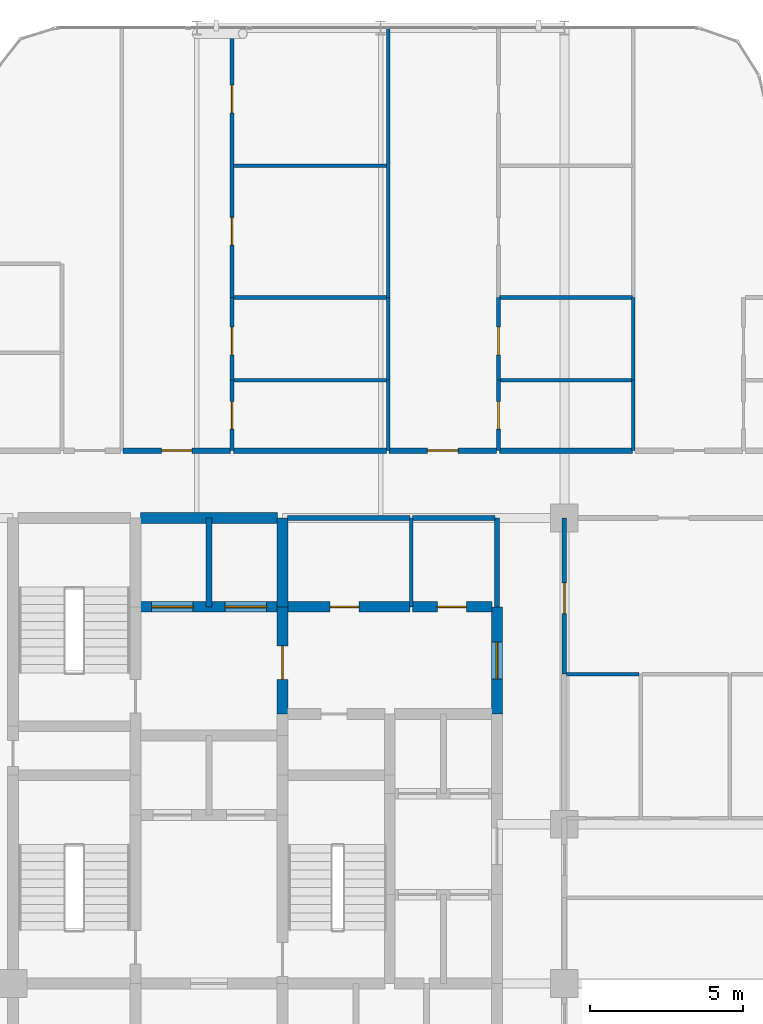
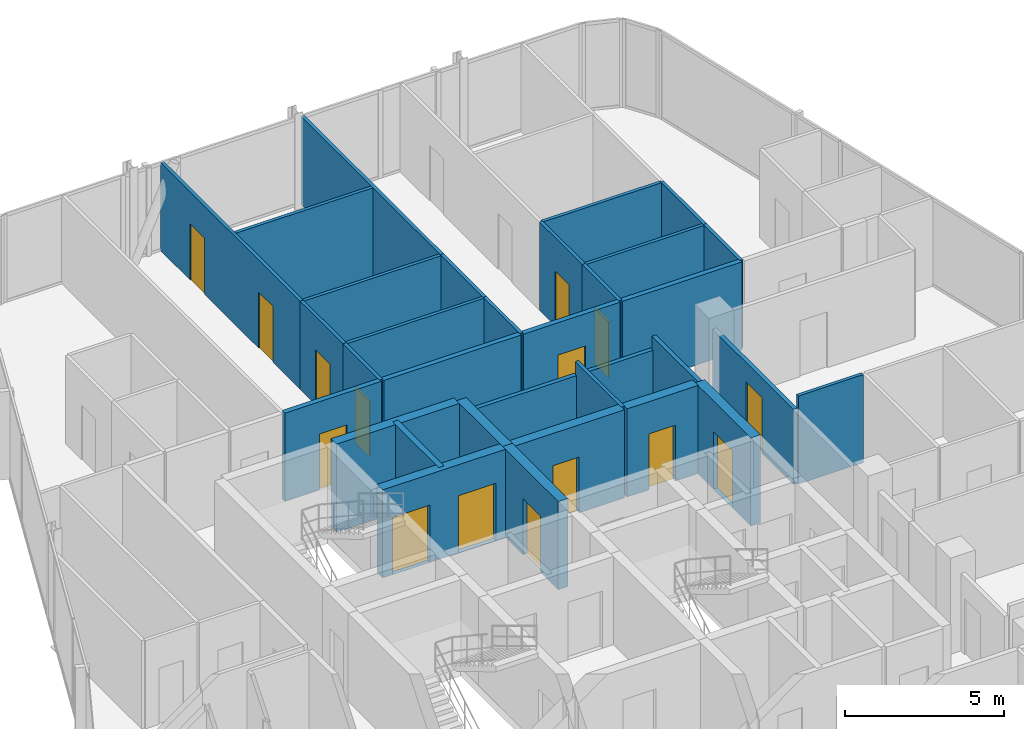
# One storey, part 27 of 29: 33 walls, 15 doors, 15 openings.
"""IFC4 building model written with IfcOpenShell, lengths in metres."""

import ifcopenshell
import ifcopenshell.guid

model = None  # the IFC model being written
_history = None  # IfcOwnerHistory: only IFC2X3 demands one
_inside = {}  # id of a spatial element -> (the spatial element, [elements in it])
_under = {}  # id of a project, library or spatial element -> (it, [spatial elements below it])
_declared = {}  # id of a project -> (the project, [libraries it declares])
_typed = {}  # id of a type object -> (the type object, [elements of that type])
_made_of = {}  # id of a material, layer set ... -> (it, [elements and type objects made of it])


def new_model(schema):
    """Start an empty IFC model of exactly this schema.

    Asked for "IFC4X3", IfcOpenShell would pick the latest addendum, in which some entities
    have other attributes; the version numbers below select the first issue.
    IFC2X3 requires an IfcOwnerHistory on every rooted entity: one is made here for all.
    """
    global model, _history
    if schema == "IFC4X3":
        model = ifcopenshell.file(schema_version=(4, 3, 0, 0))
    else:
        model = ifcopenshell.file(schema=schema)
    _inside.clear()
    _under.clear()
    _declared.clear()
    _typed.clear()
    _made_of.clear()
    _history = None
    if model.schema == "IFC2X3":
        org = make("IfcOrganization", Name="unknown")
        user = make(
            "IfcPersonAndOrganization",
            ThePerson=make("IfcPerson", FamilyName="unknown"),
            TheOrganization=org,
        )
        app = make(
            "IfcApplication",
            ApplicationDeveloper=org,
            Version="unknown",
            ApplicationFullName="unknown",
            ApplicationIdentifier="unknown",
        )
        _history = make(
            "IfcOwnerHistory",
            OwningUser=user,
            OwningApplication=app,
            ChangeAction="ADDED",
            CreationDate=0,
        )
    return model


def make(cls, **values):
    """One entity of the class cls with the attributes given. An attribute that is None is left unset."""
    return model.create_entity(
        cls, **{name: value for name, value in values.items() if value is not None}
    )


def rooted(cls, **values):
    """An entity with a GlobalId (a new one), such as an element, a storey or a relation."""
    return make(cls, GlobalId=ifcopenshell.guid.new(), OwnerHistory=_history, **values)


def si_unit(unit_type, name, prefix=None):
    """IfcSIUnit, for example si_unit("LENGTHUNIT", "METRE", prefix="MILLI")."""
    return make("IfcSIUnit", UnitType=unit_type, Prefix=prefix, Name=name)


def assignment(units):
    """IfcUnitAssignment: the units of a project."""
    return None if units is None else make("IfcUnitAssignment", Units=units)


def point(xyz):
    """IfcCartesianPoint."""
    return None if xyz is None else make("IfcCartesianPoint", Coordinates=xyz)


def direction(xyz):
    """IfcDirection."""
    return None if xyz is None else make("IfcDirection", DirectionRatios=xyz)


def frame(location, z_axis=None, x_axis=None):
    """IfcAxis2Placement3D, a coordinate frame: its origin and axes. An axis left out is left unset."""
    return make(
        "IfcAxis2Placement3D",
        Location=point(location),
        Axis=direction(z_axis),
        RefDirection=direction(x_axis),
    )


def frame_2d(location, x_axis=None):
    """IfcAxis2Placement2D, a coordinate frame in the plane: its origin and x axis."""
    return make(
        "IfcAxis2Placement2D", Location=point(location), RefDirection=direction(x_axis)
    )


def origin():
    """The frame at (0, 0, 0) with its axes left unset."""
    return frame((0.0, 0.0, 0.0))


def place(relative_to, where):
    """IfcLocalPlacement: puts the frame where relative to a parent placement (None: the world)."""
    return make(
        "IfcLocalPlacement", PlacementRelTo=relative_to, RelativePlacement=where
    )


def context(
    kind, dimensions, precision=None, world=None, true_north=None, identifier=None
):
    """IfcGeometricRepresentationContext, for example the 3D "Model" context."""
    return make(
        "IfcGeometricRepresentationContext",
        ContextIdentifier=identifier,
        ContextType=kind,
        CoordinateSpaceDimension=dimensions,
        Precision=precision,
        WorldCoordinateSystem=world,
        TrueNorth=true_north,
    )


def subcontext(parent, identifier, kind, view, scale=None):
    """IfcGeometricRepresentationSubContext, for example "Body" below "Model"."""
    return make(
        "IfcGeometricRepresentationSubContext",
        ContextIdentifier=identifier,
        ContextType=kind,
        ParentContext=parent,
        TargetScale=scale,
        TargetView=view,
    )


def project(units=None, contexts=None):
    """IfcProject with its units and contexts."""
    return rooted(
        "IfcProject",
        Name="project",
        RepresentationContexts=contexts,
        UnitsInContext=assignment(units),
    )


def spatial(cls, under=None, at=None, **own):
    """A site, building, storey or space (cls), placed at a placement, below another one or the project."""
    s = rooted(cls, ObjectPlacement=at, **own)
    if under is not None:
        _under.setdefault(under.id(), (under, []))[1].append(s)
    return s


def profile(cls, at=None, kind="AREA", **sizes):
    """A parametric profile (cls). Its sizes go by their IFC names, for example OverallWidth=200.0."""
    return make(cls, ProfileType=kind, Position=at, **sizes)


def rectangle(**sizes):
    """IfcRectangleProfileDef."""
    return profile("IfcRectangleProfileDef", **sizes)


def extrude(swept, where, along, depth):
    """IfcExtrudedAreaSolid: the profile swept, set in the frame where, extruded along a direction by depth."""
    return make(
        "IfcExtrudedAreaSolid",
        SweptArea=swept,
        Position=where,
        ExtrudedDirection=direction(along),
        Depth=depth,
    )


def shape(context_of_items, identifier, shape_type, items):
    """IfcShapeRepresentation: the items that make up one representation, for example the "Body"."""
    return make(
        "IfcShapeRepresentation",
        ContextOfItems=context_of_items,
        RepresentationIdentifier=identifier,
        RepresentationType=shape_type,
        Items=items,
    )


def material(Name=None, Category=None):
    """IfcMaterial."""
    return make("IfcMaterial", Name=Name, Category=Category)


def layer(
    of_material, thickness, ventilated=None, Name=None, Category=None, Priority=None
):
    """IfcMaterialLayer: one layer of a wall or slab, of a material (None: an air gap)."""
    return make(
        "IfcMaterialLayer",
        Material=of_material,
        LayerThickness=thickness,
        IsVentilated=ventilated,
        Name=Name,
        Category=Category,
        Priority=Priority,
    )


def layer_set(layers, Name=None):
    """IfcMaterialLayerSet."""
    return make("IfcMaterialLayerSet", MaterialLayers=layers, LayerSetName=Name)


def made_of(thing, what):
    """Note that an element or type object is made of a material, layer set ...; save() writes the relation."""
    if what is not None:
        _made_of.setdefault(what.id(), (what, []))[1].append(thing)
    return thing


def type_object(cls, material=None, **own):
    """A type object (cls), such as IfcWallType, which elements share."""
    return made_of(rooted(cls, **own), material)


def element(
    cls,
    number,
    at=None,
    inside=None,
    cuts=None,
    type_object=None,
    material=None,
    context=None,
    identifier="Body",
    shape_type=None,
    held_by="IfcProductDefinitionShape",
    body=None,
    shapes=None,
    **own,
):
    """One element of the class cls, such as IfcWall. Its Tag is "e" and its number.

    at: its placement. inside: the storey or other place that contains it. cuts: it is an
    opening in that element (IfcRelVoidsElement). A single representation is given by context,
    identifier, shape_type and body (its items); several are given by shapes. held_by: the class
    of the entity that holds the representations. save() writes the other relations.
    """
    e = rooted(cls, Tag="e%d" % number, ObjectPlacement=at, **own)
    if body is not None:
        shapes = [shape(context, identifier, shape_type, body)]
    if shapes is not None:
        e.Representation = make(held_by, Representations=shapes)
    if inside is not None:
        _inside.setdefault(inside.id(), (inside, []))[1].append(e)
    if cuts is not None:
        rooted(
            "IfcRelVoidsElement", RelatingBuildingElement=cuts, RelatedOpeningElement=e
        )
    if type_object is not None:
        _typed.setdefault(type_object.id(), (type_object, []))[1].append(e)
    return made_of(e, material)


def fill(opening, filler):
    """IfcRelFillsElement: the door or window that sits in an opening."""
    return rooted(
        "IfcRelFillsElement",
        RelatingOpeningElement=opening,
        RelatedBuildingElement=filler,
    )


def aggregate(whole, parts):
    """IfcRelAggregates: a whole, such as a stair, and the parts it consists of."""
    return rooted("IfcRelAggregates", RelatingObject=whole, RelatedObjects=parts)


def save(model, path):
    """Write the relations noted so far, then the file.

    IfcRelAggregates (storeys below a building ...), IfcRelContainedInSpatialStructure (elements
    in a storey), IfcRelDefinesByType, IfcRelAssociatesMaterial and IfcRelDeclares: one each for
    every whole, place, type object, material and project.
    """
    for whole, parts in _under.values():
        aggregate(whole, parts)
    for where, things in _inside.values():
        rooted(
            "IfcRelContainedInSpatialStructure",
            RelatedElements=things,
            RelatingStructure=where,
        )
    for kind, things in _typed.values():
        rooted("IfcRelDefinesByType", RelatedObjects=things, RelatingType=kind)
    for what, things in _made_of.values():
        rooted("IfcRelAssociatesMaterial", RelatedObjects=things, RelatingMaterial=what)
    for by, libraries in _declared.values():
        rooted("IfcRelDeclares", RelatingContext=by, RelatedDefinitions=libraries)
    model.write(path)


model = new_model("IFC4")

# Units and contexts
model_context = context("Model", 3, precision=1e-05, world=origin(), true_north=direction((0.0, 1.0)))
body_context = subcontext(model_context, "Body", "Model", "MODEL_VIEW")
ifc_project = project(units=[si_unit("LENGTHUNIT", "METRE"), si_unit("AREAUNIT", "SQUARE_METRE"), si_unit("VOLUMEUNIT", "CUBIC_METRE"), si_unit("PLANEANGLEUNIT", "RADIAN"), si_unit("MASSUNIT", "GRAM", prefix="KILO")], contexts=[model_context])

# Site, building, storey
site_placement = place(None, origin())
site = spatial("IfcSite", under=ifc_project, at=site_placement, CompositionType="ELEMENT")
building_placement = place(site_placement, origin())
building = spatial("IfcBuilding", under=site, at=building_placement, Name="Keshet Zoharim Tower", CompositionType="ELEMENT")
storey_placement = place(building_placement, frame((0.0, 0.0, 172.800048828125)))
storey = spatial("IfcBuildingStorey", under=building, at=storey_placement, Name="L42", CompositionType="ELEMENT", Elevation=172.800048828125)

# Wall
ifc_material_1 = material(Name="Gypsum Plasterboard", Category="gypsum")
ifc_layer_1 = layer(ifc_material_1, 0.14990234375)
ifc_layer_set_1 = layer_set([ifc_layer_1], Name="Gypsum Plasterboard")
wall_type_1 = type_object("IfcWallType", Name="WL-CLIN-150", PredefinedType="STANDARD", material=ifc_layer_set_1)
wall_1_placement = place(storey_placement, frame((30.800048828125, 35.0, 0.0), z_axis=(0.0, 0.0, 1.0), x_axis=(0.0, 1.0, 0.0)))
element("IfcWall", 1, at=wall_1_placement, inside=storey, type_object=wall_type_1, Name="L42 Interior Wall 066", PredefinedType="STANDARD", context=body_context, shape_type="SweptSolid", body=[
    extrude(rectangle(XDim=2.89990234375, YDim=0.14990234375, at=frame_2d((1.449951171875, 0.0))), origin(), (0.0, 0.0, 1.0), 3.389892578125),
])

# Wall, opening, door
wall_2_placement = place(storey_placement, frame((33.0, 32.800048828125, 0.0), z_axis=(0.0, 0.0, 1.0), x_axis=(0.0, 1.0, 0.0)))
wall_2 = element("IfcWall", 2, at=wall_2_placement, inside=storey, type_object=wall_type_1, Name="L42 Interior Wall 078", PredefinedType="STANDARD", context=body_context, shape_type="SweptSolid", body=[
    extrude(rectangle(XDim=5.099853515625, YDim=0.14990234375, at=frame_2d((2.5498046875, 0.0))), origin(), (0.0, 0.0, 1.0), 2.889892578125),
])
opening_1_placement = place(wall_2_placement, frame((1.97802734375, 0.0, 0.0)))
opening_1 = element("IfcOpeningElement", 3, at=opening_1_placement, cuts=wall_2, Name="Opening D-F310", PredefinedType="OPENING", context=body_context, shape_type="SweptSolid", body=[
    extrude(rectangle(XDim=1.0, YDim=2.14990234375, at=frame_2d((0.5, 1.074951171875))), frame((0.0, 0.0849609375, 0.0), z_axis=(0.0, -1.0, 0.0), x_axis=(1.0, 0.0, 0.0)), (0.0, 0.0, 1.0), 0.169921875),
])
ifc_material_2 = material(Name="Hardwood Timber", Category="wood")
door_type_1 = type_object("IfcDoorType", Name="DR-FD30-100", OperationType="NOTDEFINED", PredefinedType="DOOR", material=ifc_material_2)
door_1_placement = place(opening_1_placement, origin())
door_1 = element("IfcDoor", 4, at=door_1_placement, inside=storey, type_object=door_type_1, Name="L42 North West Residents Services Suite Door 2", OperationType="SINGLE_SWING_RIGHT", OverallHeight=2.14990234375, OverallWidth=1.0, PredefinedType="DOOR", context=body_context, shape_type="SweptSolid", body=[
    extrude(rectangle(XDim=1.0, YDim=2.14990234375, at=frame_2d((0.5, 1.074951171875))), frame((0.0, 0.02490234375, 0.0), z_axis=(0.0, -1.0, 0.0), x_axis=(1.0, 0.0, 0.0)), (0.0, 0.0, 1.0), 0.050048828125),
])
fill(opening_1, door_1)

# Walls
wall_3_placement = place(storey_placement, frame((23.9599609375, 37.89990234375, 0.0), z_axis=(0.0, 0.0, 1.0), x_axis=(1.0, 0.0, 0.0)))
element("IfcWall", 5, at=wall_3_placement, inside=storey, type_object=wall_type_1, Name="L42 Interior Wall 180", PredefinedType="STANDARD", context=body_context, shape_type="SweptSolid", body=[
    extrude(rectangle(XDim=3.9951171875, YDim=0.14990234375, at=frame_2d((1.99755859375, 0.0))), origin(), (0.0, 0.0, 1.0), 2.889892578125),
])
wall_4_placement = place(storey_placement, frame((28.044921875, 37.89990234375, 0.0), z_axis=(0.0, 0.0, 1.0), x_axis=(1.0, 0.0, 0.0)))
element("IfcWall", 6, at=wall_4_placement, inside=storey, type_object=wall_type_1, Name="L42 Interior Wall 181", PredefinedType="STANDARD", context=body_context, shape_type="SweptSolid", body=[
    extrude(rectangle(XDim=2.695068359375, YDim=0.14990234375, at=frame_2d((1.34765625, 0.0))), origin(), (0.0, 0.0, 1.0), 2.889892578125),
])

# Wall, opening, door
ifc_material_3 = material(Name="Concrete C60/75", Category="concrete")
ifc_layer_2 = layer(ifc_material_3, 0.35009765625)
ifc_layer_set_2 = layer_set([ifc_layer_2], Name="Concrete C60/75")
wall_type_2 = type_object("IfcWallType", Name="WL-CORE-350", PredefinedType="SHEAR", material=ifc_layer_set_2)
wall_5_placement = place(storey_placement, frame((23.800048828125, 31.5, 0.0), z_axis=(0.0, 0.0, 1.0), x_axis=(0.0, 1.0, 0.0)))
wall_5 = element("IfcWall", 7, at=wall_5_placement, inside=storey, type_object=wall_type_2, Name="L42 Core Shear Wall 042", PredefinedType="SHEAR", context=body_context, shape_type="SweptSolid", body=[
    extrude(rectangle(XDim=3.5, YDim=0.35009765625, at=frame_2d((1.75, 0.0))), origin(), (0.0, 0.0, 1.0), 3.389892578125),
])
opening_2_placement = place(wall_5_placement, frame((1.126953125, 0.0, 0.0)))
opening_2 = element("IfcOpeningElement", 8, at=opening_2_placement, cuts=wall_5, Name="Opening D-F611", PredefinedType="OPENING", context=body_context, shape_type="SweptSolid", body=[
    extrude(rectangle(XDim=1.10009765625, YDim=2.14990234375, at=frame_2d((0.550048828125, 1.074951171875))), frame((0.0, 0.18505859375, 0.0), z_axis=(0.0, -1.0, 0.0), x_axis=(1.0, 0.0, 0.0)), (0.0, 0.0, 1.0), 0.3701171875),
])
door_type_2 = type_object("IfcDoorType", Name="DR-FD60-110", OperationType="NOTDEFINED", PredefinedType="DOOR", material=ifc_material_2)
door_2_placement = place(opening_2_placement, origin())
door_2 = element("IfcDoor", 9, at=door_2_placement, inside=storey, type_object=door_type_2, Name="L42 Firefighting Lobby Fire Door", OperationType="SINGLE_SWING_LEFT", OverallHeight=2.14990234375, OverallWidth=1.10009765625, PredefinedType="DOOR", context=body_context, shape_type="SweptSolid", body=[
    extrude(rectangle(XDim=1.10009765625, YDim=2.14990234375, at=frame_2d((0.550048828125, 1.074951171875))), frame((0.0, 0.02490234375, 0.0), z_axis=(0.0, -1.0, 0.0), x_axis=(1.0, 0.0, 0.0)), (0.0, 0.0, 1.0), 0.050048828125),
])
fill(opening_2, door_2)

# Wall
wall_6_placement = place(storey_placement, frame((23.800048828125, 35.0, 0.0), z_axis=(0.0, 0.0, 1.0), x_axis=(0.0, 1.0, 0.0)))
element("IfcWall", 10, at=wall_6_placement, inside=storey, type_object=wall_type_2, Name="L42 Core Shear Wall 043", PredefinedType="SHEAR", context=body_context, shape_type="SweptSolid", body=[
    extrude(rectangle(XDim=2.89990234375, YDim=0.35009765625, at=frame_2d((1.449951171875, 0.0))), origin(), (0.0, 0.0, 1.0), 3.389892578125),
])

# Wall, opening, door
wall_7_placement = place(storey_placement, frame((30.800048828125, 31.5, 0.0), z_axis=(0.0, 0.0, 1.0), x_axis=(0.0, 1.0, 0.0)))
wall_7 = element("IfcWall", 11, at=wall_7_placement, inside=storey, type_object=wall_type_2, Name="L42 Core Shear Wall 065", PredefinedType="SHEAR", context=body_context, shape_type="SweptSolid", body=[
    extrude(rectangle(XDim=3.5, YDim=0.35009765625, at=frame_2d((1.75, 0.0))), origin(), (0.0, 0.0, 1.0), 3.389892578125),
])
opening_3_placement = place(wall_7_placement, frame((1.14990234375, 0.0, 0.0)))
opening_3 = element("IfcOpeningElement", 12, at=opening_3_placement, cuts=wall_7, Name="Opening D-F612", PredefinedType="OPENING", context=body_context, shape_type="SweptSolid", body=[
    extrude(rectangle(XDim=1.199951171875, YDim=2.199951171875, at=frame_2d((0.60009765625, 1.10009765625))), frame((0.0, 0.18505859375, 0.0), z_axis=(0.0, -1.0, 0.0), x_axis=(1.0, 0.0, 0.0)), (0.0, 0.0, 1.0), 0.3701171875),
])
door_type_3 = type_object("IfcDoorType", Name="DR-FD60-120", OperationType="NOTDEFINED", PredefinedType="DOOR", material=ifc_material_2)
door_3_placement = place(opening_3_placement, origin())
door_3 = element("IfcDoor", 13, at=door_3_placement, inside=storey, type_object=door_type_3, Name="L42 North Lift Lobby East Fire Door", OperationType="SINGLE_SWING_LEFT", OverallHeight=2.199951171875, OverallWidth=1.199951171875, PredefinedType="DOOR", context=body_context, shape_type="SweptSolid", body=[
    extrude(rectangle(XDim=1.199951171875, YDim=2.199951171875, at=frame_2d((0.60009765625, 1.10009765625))), frame((0.0, 0.02490234375, 0.0), z_axis=(0.0, -1.0, 0.0), x_axis=(1.0, 0.0, 0.0)), (0.0, 0.0, 1.0), 0.050048828125),
])
fill(opening_3, door_3)

# Wall, openings, doors
wall_8_placement = place(storey_placement, frame((19.159912109375, 35.0, 0.0), z_axis=(0.0, 0.0, 1.0), x_axis=(1.0, 0.0, 0.0)))
wall_8 = element("IfcWall", 14, at=wall_8_placement, inside=storey, type_object=wall_type_2, Name="L42 Core Shear Wall 175", PredefinedType="SHEAR", context=body_context, shape_type="SweptSolid", body=[
    extrude(rectangle(XDim=4.47998046875, YDim=0.35009765625, at=frame_2d((2.239990234375, 0.0))), origin(), (0.0, 0.0, 1.0), 3.389892578125),
])
opening_4_placement = place(wall_8_placement, frame((0.364990234375, 0.0, 0.0)))
opening_4 = element("IfcOpeningElement", 15, at=opening_4_placement, cuts=wall_8, Name="Opening LD-02", PredefinedType="OPENING", context=body_context, shape_type="SweptSolid", body=[
    extrude(rectangle(XDim=1.35009765625, YDim=2.199951171875, at=frame_2d((0.675048828125, 1.10009765625))), frame((0.0, 0.18505859375, 0.0), z_axis=(0.0, -1.0, 0.0), x_axis=(1.0, 0.0, 0.0)), (0.0, 0.0, 1.0), 0.3701171875),
])
opening_5_placement = place(wall_8_placement, frame((2.764892578125, 0.0, 0.0)))
opening_5 = element("IfcOpeningElement", 16, at=opening_5_placement, cuts=wall_8, Name="Opening LD-02", PredefinedType="OPENING", context=body_context, shape_type="SweptSolid", body=[
    extrude(rectangle(XDim=1.35009765625, YDim=2.199951171875, at=frame_2d((0.675048828125, 1.10009765625))), frame((0.0, 0.18505859375, 0.0), z_axis=(0.0, -1.0, 0.0), x_axis=(1.0, 0.0, 0.0)), (0.0, 0.0, 1.0), 0.3701171875),
])
ifc_material_4 = material(Name="Steel S355", Category="steel")
door_type_4 = type_object("IfcDoorType", Name="DR-LD02-135", OperationType="DOUBLE_DOOR_SLIDING", PredefinedType="DOOR", material=ifc_material_4)
door_4_placement = place(opening_4_placement, origin())
door_4 = element("IfcDoor", 17, at=door_4_placement, inside=storey, type_object=door_type_4, Name="L42 Firefighting Lift Landing Door FF-01", OperationType="DOUBLE_DOOR_SLIDING", OverallHeight=2.199951171875, OverallWidth=1.35009765625, PredefinedType="DOOR", context=body_context, shape_type="SweptSolid", body=[
    extrude(rectangle(XDim=1.35009765625, YDim=2.199951171875, at=frame_2d((0.675048828125, 1.10009765625))), frame((0.0, 0.02490234375, 0.0), z_axis=(0.0, -1.0, 0.0), x_axis=(1.0, 0.0, 0.0)), (0.0, 0.0, 1.0), 0.050048828125),
])
fill(opening_4, door_4)
door_5_placement = place(opening_5_placement, origin())
door_5 = element("IfcDoor", 18, at=door_5_placement, inside=storey, type_object=door_type_4, Name="L42 Firefighting Lift Landing Door FF-02", OperationType="DOUBLE_DOOR_SLIDING", OverallHeight=2.199951171875, OverallWidth=1.35009765625, PredefinedType="DOOR", context=body_context, shape_type="SweptSolid", body=[
    extrude(rectangle(XDim=1.35009765625, YDim=2.199951171875, at=frame_2d((0.675048828125, 1.10009765625))), frame((0.0, 0.02490234375, 0.0), z_axis=(0.0, -1.0, 0.0), x_axis=(1.0, 0.0, 0.0)), (0.0, 0.0, 1.0), 0.050048828125),
])
fill(opening_5, door_5)

# Wall, opening, door
wall_9_placement = place(storey_placement, frame((23.9599609375, 35.0, 0.0), z_axis=(0.0, 0.0, 1.0), x_axis=(1.0, 0.0, 0.0)))
wall_9 = element("IfcWall", 19, at=wall_9_placement, inside=storey, type_object=wall_type_2, Name="L42 Core Shear Wall 176", PredefinedType="SHEAR", context=body_context, shape_type="SweptSolid", body=[
    extrude(rectangle(XDim=3.9951171875, YDim=0.35009765625, at=frame_2d((1.99755859375, 0.0))), origin(), (0.0, 0.0, 1.0), 3.389892578125),
])
opening_6_placement = place(wall_9_placement, frame((1.39306640625, 0.0, 0.0)))
opening_6 = element("IfcOpeningElement", 20, at=opening_6_placement, cuts=wall_9, Name="Opening D-F695", PredefinedType="OPENING", context=body_context, shape_type="SweptSolid", body=[
    extrude(rectangle(XDim=0.949951171875, YDim=2.14990234375, at=frame_2d((0.47509765625, 1.074951171875))), frame((0.0, 0.18505859375, 0.0), z_axis=(0.0, -1.0, 0.0), x_axis=(1.0, 0.0, 0.0)), (0.0, 0.0, 1.0), 0.3701171875),
])
door_type_5 = type_object("IfcDoorType", Name="DR-FD60-095", OperationType="NOTDEFINED", PredefinedType="DOOR", material=ifc_material_2)
door_6_placement = place(opening_6_placement, frame((0.949951171875, 0.0, 0.0), z_axis=(0.0, 0.0, 1.0), x_axis=(-1.0, 0.0, 0.0)))
door_6 = element("IfcDoor", 21, at=door_6_placement, inside=storey, type_object=door_type_5, Name="L42 Laundry Room Door", OperationType="SINGLE_SWING_RIGHT", OverallHeight=2.14990234375, OverallWidth=0.949951171875, PredefinedType="DOOR", context=body_context, shape_type="SweptSolid", body=[
    extrude(rectangle(XDim=0.949951171875, YDim=2.14990234375, at=frame_2d((0.47509765625, 1.074951171875))), frame((0.0, 0.02490234375, 0.0), z_axis=(0.0, -1.0, 0.0), x_axis=(1.0, 0.0, 0.0)), (0.0, 0.0, 1.0), 0.050048828125),
])
fill(opening_6, door_6)

wall_10_placement = place(storey_placement, frame((28.044921875, 35.0, 0.0), z_axis=(0.0, 0.0, 1.0), x_axis=(1.0, 0.0, 0.0)))
wall_10 = element("IfcWall", 22, at=wall_10_placement, inside=storey, type_object=wall_type_2, Name="L42 Core Shear Wall 177", PredefinedType="SHEAR", context=body_context, shape_type="SweptSolid", body=[
    extrude(rectangle(XDim=2.594970703125, YDim=0.35009765625, at=frame_2d((1.29736328125, 0.0))), origin(), (0.0, 0.0, 1.0), 3.389892578125),
])
opening_7_placement = place(wall_10_placement, frame((0.805908203125, 0.0, 0.0)))
opening_7 = element("IfcOpeningElement", 23, at=opening_7_placement, cuts=wall_10, Name="Opening D-F695", PredefinedType="OPENING", context=body_context, shape_type="SweptSolid", body=[
    extrude(rectangle(XDim=0.949951171875, YDim=2.14990234375, at=frame_2d((0.47509765625, 1.074951171875))), frame((0.0, 0.18505859375, 0.0), z_axis=(0.0, -1.0, 0.0), x_axis=(1.0, 0.0, 0.0)), (0.0, 0.0, 1.0), 0.3701171875),
])
door_7_placement = place(opening_7_placement, frame((0.949951171875, 0.0, 0.0), z_axis=(0.0, 0.0, 1.0), x_axis=(-1.0, 0.0, 0.0)))
door_7 = element("IfcDoor", 24, at=door_7_placement, inside=storey, type_object=door_type_5, Name="L42 Quiet Study Room Door", OperationType="SINGLE_SWING_LEFT", OverallHeight=2.14990234375, OverallWidth=0.949951171875, PredefinedType="DOOR", context=body_context, shape_type="SweptSolid", body=[
    extrude(rectangle(XDim=0.949951171875, YDim=2.14990234375, at=frame_2d((0.47509765625, 1.074951171875))), frame((0.0, 0.02490234375, 0.0), z_axis=(0.0, -1.0, 0.0), x_axis=(1.0, 0.0, 0.0)), (0.0, 0.0, 1.0), 0.050048828125),
])
fill(opening_7, door_7)

# Wall
wall_11_placement = place(storey_placement, frame((19.159912109375, 37.89990234375, 0.0), z_axis=(0.0, 0.0, 1.0), x_axis=(1.0, 0.0, 0.0)))
element("IfcWall", 25, at=wall_11_placement, inside=storey, type_object=wall_type_2, Name="L42 Core Shear Wall 179", PredefinedType="SHEAR", context=body_context, shape_type="SweptSolid", body=[
    extrude(rectangle(XDim=4.47998046875, YDim=0.35009765625, at=frame_2d((2.239990234375, 0.0))), origin(), (0.0, 0.0, 1.0), 3.389892578125),
])

# Wall, opening, door
ifc_layer_3 = layer(ifc_material_1, 0.179931640625)
ifc_layer_set_3 = layer_set([ifc_layer_3], Name="Gypsum Plasterboard")
wall_type_3 = type_object("IfcWallType", Name="WL-CORR-180", PredefinedType="STANDARD", material=ifc_layer_set_3)
wall_12_placement = place(storey_placement, frame((18.594970703125, 40.10009765625, 0.0), z_axis=(0.0, 0.0, 1.0), x_axis=(1.0, 0.0, 0.0)))
wall_12 = element("IfcWall", 26, at=wall_12_placement, inside=storey, type_object=wall_type_3, Name="L42 Interior Wall 188", PredefinedType="STANDARD", context=body_context, shape_type="SweptSolid", body=[
    extrude(rectangle(XDim=3.510009765625, YDim=0.179931640625, at=frame_2d((1.7548828125, 0.0))), origin(), (0.0, 0.0, 1.0), 3.389892578125),
])
opening_8_placement = place(wall_12_placement, frame((1.2548828125, 0.0, 0.0)))
opening_8 = element("IfcOpeningElement", 27, at=opening_8_placement, cuts=wall_12, Name="Opening D-F310", PredefinedType="OPENING", context=body_context, shape_type="SweptSolid", body=[
    extrude(rectangle(XDim=1.0, YDim=2.14990234375, at=frame_2d((0.5, 1.074951171875))), frame((0.0, 0.10009765625, 0.0), z_axis=(0.0, -1.0, 0.0), x_axis=(1.0, 0.0, 0.0)), (0.0, 0.0, 1.0), 0.199951171875),
])
door_8_placement = place(opening_8_placement, origin())
door_8 = element("IfcDoor", 28, at=door_8_placement, inside=storey, type_object=door_type_1, Name="Apartment 4206 Entrance Door", OperationType="SINGLE_SWING_RIGHT", OverallHeight=2.14990234375, OverallWidth=1.0, PredefinedType="DOOR", context=body_context, shape_type="SweptSolid", body=[
    extrude(rectangle(XDim=1.0, YDim=2.14990234375, at=frame_2d((0.5, 1.074951171875))), frame((0.0, 0.02490234375, 0.0), z_axis=(0.0, -1.0, 0.0), x_axis=(1.0, 0.0, 0.0)), (0.0, 0.0, 1.0), 0.050048828125),
])
fill(opening_8, door_8)

# Wall
wall_13_placement = place(storey_placement, frame((22.195068359375, 40.10009765625, 0.0), z_axis=(0.0, 0.0, 1.0), x_axis=(1.0, 0.0, 0.0)))
element("IfcWall", 29, at=wall_13_placement, inside=storey, type_object=wall_type_3, Name="L42 Interior Wall 189", PredefinedType="STANDARD", context=body_context, shape_type="SweptSolid", body=[
    extrude(rectangle(XDim=4.989990234375, YDim=0.179931640625, at=frame_2d((2.4951171875, 0.0))), origin(), (0.0, 0.0, 1.0), 3.389892578125),
])

# Wall, opening, door
wall_14_placement = place(storey_placement, frame((27.27490234375, 40.10009765625, 0.0), z_axis=(0.0, 0.0, 1.0), x_axis=(1.0, 0.0, 0.0)))
wall_14 = element("IfcWall", 30, at=wall_14_placement, inside=storey, type_object=wall_type_3, Name="L42 Interior Wall 190", PredefinedType="STANDARD", context=body_context, shape_type="SweptSolid", body=[
    extrude(rectangle(XDim=3.510009765625, YDim=0.179931640625, at=frame_2d((1.7548828125, 0.0))), origin(), (0.0, 0.0, 1.0), 3.389892578125),
])
opening_9_placement = place(wall_14_placement, frame((1.2548828125, 0.0, 0.0)))
opening_9 = element("IfcOpeningElement", 31, at=opening_9_placement, cuts=wall_14, Name="Opening D-F310", PredefinedType="OPENING", context=body_context, shape_type="SweptSolid", body=[
    extrude(rectangle(XDim=1.0, YDim=2.14990234375, at=frame_2d((0.5, 1.074951171875))), frame((0.0, 0.10009765625, 0.0), z_axis=(0.0, -1.0, 0.0), x_axis=(1.0, 0.0, 0.0)), (0.0, 0.0, 1.0), 0.199951171875),
])
door_9_placement = place(opening_9_placement, origin())
door_9 = element("IfcDoor", 32, at=door_9_placement, inside=storey, type_object=door_type_1, Name="Apartment 4207 Entrance Door", OperationType="SINGLE_SWING_LEFT", OverallHeight=2.14990234375, OverallWidth=1.0, PredefinedType="DOOR", context=body_context, shape_type="SweptSolid", body=[
    extrude(rectangle(XDim=1.0, YDim=2.14990234375, at=frame_2d((0.5, 1.074951171875))), frame((0.0, 0.02490234375, 0.0), z_axis=(0.0, -1.0, 0.0), x_axis=(1.0, 0.0, 0.0)), (0.0, 0.0, 1.0), 0.050048828125),
])
fill(opening_9, door_9)

# Walls
wall_15_placement = place(storey_placement, frame((30.875, 40.10009765625, 0.0), z_axis=(0.0, 0.0, 1.0), x_axis=(1.0, 0.0, 0.0)))
element("IfcWall", 33, at=wall_15_placement, inside=storey, type_object=wall_type_3, Name="L42 Interior Wall 191", PredefinedType="STANDARD", context=body_context, shape_type="SweptSolid", body=[
    extrude(rectangle(XDim=4.35009765625, YDim=0.179931640625, at=frame_2d((2.175048828125, 0.0))), origin(), (0.0, 0.0, 1.0), 3.389892578125),
])
ifc_material_5 = material(Name="Concrete C50/60", Category="concrete")
ifc_layer_4 = layer(ifc_material_5, 0.199951171875)
ifc_layer_set_4 = layer_set([ifc_layer_4], Name="Concrete C50/60")
wall_type_4 = type_object("IfcWallType", Name="WL-FIRE-200", PredefinedType="STANDARD", material=ifc_layer_set_4)
wall_16_placement = place(storey_placement, frame((21.39990234375, 35.0, 0.0), z_axis=(0.0, 0.0, 1.0), x_axis=(0.0, 1.0, 0.0)))
element("IfcWall", 34, at=wall_16_placement, inside=storey, type_object=wall_type_4, Name="L42 Interior Wall 033", PredefinedType="STANDARD", context=body_context, shape_type="SweptSolid", body=[
    extrude(rectangle(XDim=2.89990234375, YDim=0.199951171875, at=frame_2d((1.449951171875, 0.0))), origin(), (0.0, 0.0, 1.0), 3.389892578125),
])

# Wall, opening, door
ifc_layer_5 = layer(ifc_material_1, 0.1201171875)
ifc_layer_set_5 = layer_set([ifc_layer_5], Name="Gypsum Plasterboard")
wall_type_5 = type_object("IfcWallType", Name="WL-PART-120", PredefinedType="PARTITIONING", material=ifc_layer_set_5)
wall_17_placement = place(storey_placement, frame((22.14990234375, 40.10009765625, 0.0), z_axis=(0.0, 0.0, 1.0), x_axis=(0.0, 1.0, 0.0)))
wall_17 = element("IfcWall", 35, at=wall_17_placement, inside=storey, type_object=wall_type_5, Name="L42 Interior Wall 034", PredefinedType="PARTITIONING", context=body_context, shape_type="SweptSolid", body=[
    extrude(rectangle(XDim=2.2998046875, YDim=0.1201171875, at=frame_2d((1.14990234375, 0.0))), origin(), (0.0, 0.0, 1.0), 3.389892578125),
])
opening_10_placement = place(wall_17_placement, frame((0.699951171875, 0.0, 0.0)))
opening_10 = element("IfcOpeningElement", 36, at=opening_10_placement, cuts=wall_17, Name="Opening D-IN90", PredefinedType="OPENING", context=body_context, shape_type="SweptSolid", body=[
    extrude(rectangle(XDim=0.89990234375, YDim=2.14990234375, at=frame_2d((0.449951171875, 1.074951171875))), frame((0.0, 0.070068359375, 0.0), z_axis=(0.0, -1.0, 0.0), x_axis=(1.0, 0.0, 0.0)), (0.0, 0.0, 1.0), 0.14013671875),
])
door_type_6 = type_object("IfcDoorType", Name="DR-INT-090", OperationType="NOTDEFINED", PredefinedType="DOOR", material=ifc_material_2)
door_10_placement = place(opening_10_placement, origin())
door_10 = element("IfcDoor", 37, at=door_10_placement, inside=storey, type_object=door_type_6, Name="Apartment 4206 Kitchen Door", OperationType="SINGLE_SWING_RIGHT", OverallHeight=2.14990234375, OverallWidth=0.89990234375, PredefinedType="DOOR", context=body_context, shape_type="SweptSolid", body=[
    extrude(rectangle(XDim=0.89990234375, YDim=2.14990234375, at=frame_2d((0.449951171875, 1.074951171875))), frame((0.0, 0.02490234375, 0.0), z_axis=(0.0, -1.0, 0.0), x_axis=(1.0, 0.0, 0.0)), (0.0, 0.0, 1.0), 0.050048828125),
])
fill(opening_10, door_10)

# Wall, openings, doors
wall_18_placement = place(storey_placement, frame((22.14990234375, 45.10009765625, 0.0), z_axis=(0.0, 0.0, 1.0), x_axis=(0.0, 1.0, 0.0)))
wall_18 = element("IfcWall", 38, at=wall_18_placement, inside=storey, type_object=wall_type_5, Name="L42 Interior Wall 036", PredefinedType="PARTITIONING", context=body_context, shape_type="SweptSolid", body=[
    extrude(rectangle(XDim=8.789794921875, YDim=0.1201171875, at=frame_2d((4.39501953125, 0.0))), origin(), (0.0, 0.0, 1.0), 3.389892578125),
])
opening_11_placement = place(wall_18_placement, frame((1.7119140625, 0.0, 0.0)))
opening_11 = element("IfcOpeningElement", 39, at=opening_11_placement, cuts=wall_18, Name="Opening D-IN90", PredefinedType="OPENING", context=body_context, shape_type="SweptSolid", body=[
    extrude(rectangle(XDim=0.89990234375, YDim=2.14990234375, at=frame_2d((0.449951171875, 1.074951171875))), frame((0.0, 0.070068359375, 0.0), z_axis=(0.0, -1.0, 0.0), x_axis=(1.0, 0.0, 0.0)), (0.0, 0.0, 1.0), 0.14013671875),
])
opening_12_placement = place(wall_18_placement, frame((6.030029296875, 0.0, 0.0)))
opening_12 = element("IfcOpeningElement", 40, at=opening_12_placement, cuts=wall_18, Name="Opening D-IN90", PredefinedType="OPENING", context=body_context, shape_type="SweptSolid", body=[
    extrude(rectangle(XDim=0.89990234375, YDim=2.14990234375, at=frame_2d((0.449951171875, 1.074951171875))), frame((0.0, 0.070068359375, 0.0), z_axis=(0.0, -1.0, 0.0), x_axis=(1.0, 0.0, 0.0)), (0.0, 0.0, 1.0), 0.14013671875),
])
door_11_placement = place(opening_11_placement, origin())
door_11 = element("IfcDoor", 41, at=door_11_placement, inside=storey, type_object=door_type_6, Name="Apartment 4206 Bedroom 1 Door", OperationType="SINGLE_SWING_RIGHT", OverallHeight=2.14990234375, OverallWidth=0.89990234375, PredefinedType="DOOR", context=body_context, shape_type="SweptSolid", body=[
    extrude(rectangle(XDim=0.89990234375, YDim=2.14990234375, at=frame_2d((0.449951171875, 1.074951171875))), frame((0.0, 0.02490234375, 0.0), z_axis=(0.0, -1.0, 0.0), x_axis=(1.0, 0.0, 0.0)), (0.0, 0.0, 1.0), 0.050048828125),
])
fill(opening_11, door_11)
door_12_placement = place(opening_12_placement, origin())
door_12 = element("IfcDoor", 42, at=door_12_placement, inside=storey, type_object=door_type_6, Name="Apartment 4206 Bedroom 2 Door", OperationType="SINGLE_SWING_LEFT", OverallHeight=2.14990234375, OverallWidth=0.89990234375, PredefinedType="DOOR", context=body_context, shape_type="SweptSolid", body=[
    extrude(rectangle(XDim=0.89990234375, YDim=2.14990234375, at=frame_2d((0.449951171875, 1.074951171875))), frame((0.0, 0.02490234375, 0.0), z_axis=(0.0, -1.0, 0.0), x_axis=(1.0, 0.0, 0.0)), (0.0, 0.0, 1.0), 0.050048828125),
])
fill(opening_12, door_12)

# Walls
wall_19_placement = place(storey_placement, frame((27.25, 40.10009765625, 0.0), z_axis=(0.0, 0.0, 1.0), x_axis=(0.0, 1.0, 0.0)))
element("IfcWall", 43, at=wall_19_placement, inside=storey, type_object=wall_type_5, Name="L42 Interior Wall 048", PredefinedType="PARTITIONING", context=body_context, shape_type="SweptSolid", body=[
    extrude(rectangle(XDim=2.2998046875, YDim=0.1201171875, at=frame_2d((1.14990234375, 0.0))), origin(), (0.0, 0.0, 1.0), 3.389892578125),
])
wall_20_placement = place(storey_placement, frame((27.25, 45.10009765625, 0.0), z_axis=(0.0, 0.0, 1.0), x_axis=(0.0, 1.0, 0.0)))
element("IfcWall", 44, at=wall_20_placement, inside=storey, type_object=wall_type_5, Name="L42 Interior Wall 050", PredefinedType="PARTITIONING", context=body_context, shape_type="SweptSolid", body=[
    extrude(rectangle(XDim=8.789794921875, YDim=0.1201171875, at=frame_2d((4.39501953125, 0.0))), origin(), (0.0, 0.0, 1.0), 3.389892578125),
])
wall_21_placement = place(storey_placement, frame((28.0, 35.0, 0.0), z_axis=(0.0, 0.0, 1.0), x_axis=(0.0, 1.0, 0.0)))
element("IfcWall", 45, at=wall_21_placement, inside=storey, type_object=wall_type_5, Name="L42 Interior Wall 055", PredefinedType="PARTITIONING", context=body_context, shape_type="SweptSolid", body=[
    extrude(rectangle(XDim=2.89990234375, YDim=0.1201171875, at=frame_2d((1.449951171875, 0.0))), origin(), (0.0, 0.0, 1.0), 3.389892578125),
])

# Wall, opening, door
wall_22_placement = place(storey_placement, frame((30.85009765625, 40.10009765625, 0.0), z_axis=(0.0, 0.0, 1.0), x_axis=(0.0, 1.0, 0.0)))
wall_22 = element("IfcWall", 46, at=wall_22_placement, inside=storey, type_object=wall_type_5, Name="L42 Interior Wall 067", PredefinedType="PARTITIONING", context=body_context, shape_type="SweptSolid", body=[
    extrude(rectangle(XDim=2.2998046875, YDim=0.1201171875, at=frame_2d((1.14990234375, 0.0))), origin(), (0.0, 0.0, 1.0), 3.389892578125),
])
opening_13_placement = place(wall_22_placement, frame((0.699951171875, 0.0, 0.0)))
opening_13 = element("IfcOpeningElement", 47, at=opening_13_placement, cuts=wall_22, Name="Opening D-IN90", PredefinedType="OPENING", context=body_context, shape_type="SweptSolid", body=[
    extrude(rectangle(XDim=0.89990234375, YDim=2.14990234375, at=frame_2d((0.449951171875, 1.074951171875))), frame((0.0, 0.070068359375, 0.0), z_axis=(0.0, -1.0, 0.0), x_axis=(1.0, 0.0, 0.0)), (0.0, 0.0, 1.0), 0.14013671875),
])
door_13_placement = place(opening_13_placement, origin())
door_13 = element("IfcDoor", 48, at=door_13_placement, inside=storey, type_object=door_type_6, Name="Apartment 4207 Kitchen Door", OperationType="SINGLE_SWING_RIGHT", OverallHeight=2.14990234375, OverallWidth=0.89990234375, PredefinedType="DOOR", context=body_context, shape_type="SweptSolid", body=[
    extrude(rectangle(XDim=0.89990234375, YDim=2.14990234375, at=frame_2d((0.449951171875, 1.074951171875))), frame((0.0, 0.02490234375, 0.0), z_axis=(0.0, -1.0, 0.0), x_axis=(1.0, 0.0, 0.0)), (0.0, 0.0, 1.0), 0.050048828125),
])
fill(opening_13, door_13)

# Walls
wall_23_placement = place(storey_placement, frame((35.25, 40.10009765625, 0.0), z_axis=(0.0, 0.0, 1.0), x_axis=(0.0, 1.0, 0.0)))
element("IfcWall", 49, at=wall_23_placement, inside=storey, type_object=wall_type_5, Name="L42 Interior Wall 080", PredefinedType="PARTITIONING", context=body_context, shape_type="SweptSolid", body=[
    extrude(rectangle(XDim=2.2998046875, YDim=0.1201171875, at=frame_2d((1.14990234375, 0.0))), origin(), (0.0, 0.0, 1.0), 3.389892578125),
])
wall_24_placement = place(storey_placement, frame((33.074951171875, 32.800048828125, 0.0), z_axis=(0.0, 0.0, 1.0), x_axis=(1.0, 0.0, 0.0)))
element("IfcWall", 50, at=wall_24_placement, inside=storey, type_object=wall_type_5, Name="L42 Interior Wall 172", PredefinedType="PARTITIONING", context=body_context, shape_type="SweptSolid", body=[
    extrude(rectangle(XDim=2.364013671875, YDim=0.1201171875, at=frame_2d((1.18212890625, 0.0))), origin(), (0.0, 0.0, 1.0), 3.389892578125),
])
wall_25_placement = place(storey_placement, frame((22.195068359375, 49.39990234375, 0.0), z_axis=(0.0, 0.0, 1.0), x_axis=(1.0, 0.0, 0.0)))
element("IfcWall", 51, at=wall_25_placement, inside=storey, type_object=wall_type_5, Name="L42 Interior Wall 204", PredefinedType="PARTITIONING", context=body_context, shape_type="SweptSolid", body=[
    extrude(rectangle(XDim=4.989990234375, YDim=0.1201171875, at=frame_2d((2.4951171875, 0.0))), origin(), (0.0, 0.0, 1.0), 3.389892578125),
])

# Wall, opening, door
ifc_layer_6 = layer(ifc_material_1, 0.1201171875)
ifc_layer_set_6 = layer_set([ifc_layer_6], Name="Gypsum Plasterboard")
wall_type_6 = type_object("IfcWallType", Name="WL-WET-120", PredefinedType="PARTITIONING", material=ifc_layer_set_6)
wall_26_placement = place(storey_placement, frame((22.14990234375, 42.39990234375, 0.0), z_axis=(0.0, 0.0, 1.0), x_axis=(0.0, 1.0, 0.0)))
wall_26 = element("IfcWall", 52, at=wall_26_placement, inside=storey, type_object=wall_type_6, Name="L42 Interior Wall 035", PredefinedType="PARTITIONING", context=body_context, shape_type="SweptSolid", body=[
    extrude(rectangle(XDim=2.7001953125, YDim=0.1201171875, at=frame_2d((1.35009765625, 0.0))), origin(), (0.0, 0.0, 1.0), 3.389892578125),
])
opening_14_placement = place(wall_26_placement, frame((0.827880859375, 0.0, 0.0)))
opening_14 = element("IfcOpeningElement", 53, at=opening_14_placement, cuts=wall_26, Name="Opening D-WT90", PredefinedType="OPENING", context=body_context, shape_type="SweptSolid", body=[
    extrude(rectangle(XDim=0.89990234375, YDim=2.10009765625, at=frame_2d((0.449951171875, 1.050048828125))), frame((0.0, 0.070068359375, 0.0), z_axis=(0.0, -1.0, 0.0), x_axis=(1.0, 0.0, 0.0)), (0.0, 0.0, 1.0), 0.14013671875),
])
door_type_7 = type_object("IfcDoorType", Name="DR-WET-090", OperationType="NOTDEFINED", PredefinedType="DOOR", material=ifc_material_2)
door_14_placement = place(opening_14_placement, origin())
door_14 = element("IfcDoor", 54, at=door_14_placement, inside=storey, type_object=door_type_7, Name="Apartment 4206 Bathroom Door", OperationType="SINGLE_SWING_LEFT", OverallHeight=2.10009765625, OverallWidth=0.89990234375, PredefinedType="DOOR", context=body_context, shape_type="SweptSolid", body=[
    extrude(rectangle(XDim=0.89990234375, YDim=2.10009765625, at=frame_2d((0.449951171875, 1.050048828125))), frame((0.0, 0.02490234375, 0.0), z_axis=(0.0, -1.0, 0.0), x_axis=(1.0, 0.0, 0.0)), (0.0, 0.0, 1.0), 0.050048828125),
])
fill(opening_14, door_14)

# Wall
wall_27_placement = place(storey_placement, frame((27.25, 42.39990234375, 0.0), z_axis=(0.0, 0.0, 1.0), x_axis=(0.0, 1.0, 0.0)))
element("IfcWall", 55, at=wall_27_placement, inside=storey, type_object=wall_type_6, Name="L42 Interior Wall 049", PredefinedType="PARTITIONING", context=body_context, shape_type="SweptSolid", body=[
    extrude(rectangle(XDim=2.7001953125, YDim=0.1201171875, at=frame_2d((1.35009765625, 0.0))), origin(), (0.0, 0.0, 1.0), 3.389892578125),
])

# Wall, opening, door
wall_28_placement = place(storey_placement, frame((30.85009765625, 42.39990234375, 0.0), z_axis=(0.0, 0.0, 1.0), x_axis=(0.0, 1.0, 0.0)))
wall_28 = element("IfcWall", 56, at=wall_28_placement, inside=storey, type_object=wall_type_6, Name="L42 Interior Wall 068", PredefinedType="PARTITIONING", context=body_context, shape_type="SweptSolid", body=[
    extrude(rectangle(XDim=2.7001953125, YDim=0.1201171875, at=frame_2d((1.35009765625, 0.0))), origin(), (0.0, 0.0, 1.0), 3.389892578125),
])
opening_15_placement = place(wall_28_placement, frame((0.827880859375, 0.0, 0.0)))
opening_15 = element("IfcOpeningElement", 57, at=opening_15_placement, cuts=wall_28, Name="Opening D-WT90", PredefinedType="OPENING", context=body_context, shape_type="SweptSolid", body=[
    extrude(rectangle(XDim=0.89990234375, YDim=2.10009765625, at=frame_2d((0.449951171875, 1.050048828125))), frame((0.0, 0.070068359375, 0.0), z_axis=(0.0, -1.0, 0.0), x_axis=(1.0, 0.0, 0.0)), (0.0, 0.0, 1.0), 0.14013671875),
])
door_15_placement = place(opening_15_placement, origin())
door_15 = element("IfcDoor", 58, at=door_15_placement, inside=storey, type_object=door_type_7, Name="Apartment 4207 Bathroom Door", OperationType="SINGLE_SWING_LEFT", OverallHeight=2.10009765625, OverallWidth=0.89990234375, PredefinedType="DOOR", context=body_context, shape_type="SweptSolid", body=[
    extrude(rectangle(XDim=0.89990234375, YDim=2.10009765625, at=frame_2d((0.449951171875, 1.050048828125))), frame((0.0, 0.02490234375, 0.0), z_axis=(0.0, -1.0, 0.0), x_axis=(1.0, 0.0, 0.0)), (0.0, 0.0, 1.0), 0.050048828125),
])
fill(opening_15, door_15)

# Walls
wall_29_placement = place(storey_placement, frame((35.25, 42.39990234375, 0.0), z_axis=(0.0, 0.0, 1.0), x_axis=(0.0, 1.0, 0.0)))
element("IfcWall", 59, at=wall_29_placement, inside=storey, type_object=wall_type_6, Name="L42 Interior Wall 081", PredefinedType="PARTITIONING", context=body_context, shape_type="SweptSolid", body=[
    extrude(rectangle(XDim=2.7001953125, YDim=0.1201171875, at=frame_2d((1.35009765625, 0.0))), origin(), (0.0, 0.0, 1.0), 3.389892578125),
])
wall_30_placement = place(storey_placement, frame((22.195068359375, 42.39990234375, 0.0), z_axis=(0.0, 0.0, 1.0), x_axis=(1.0, 0.0, 0.0)))
element("IfcWall", 60, at=wall_30_placement, inside=storey, type_object=wall_type_6, Name="L42 Interior Wall 196", PredefinedType="PARTITIONING", context=body_context, shape_type="SweptSolid", body=[
    extrude(rectangle(XDim=4.989990234375, YDim=0.1201171875, at=frame_2d((2.4951171875, 0.0))), origin(), (0.0, 0.0, 1.0), 3.389892578125),
])
wall_31_placement = place(storey_placement, frame((30.875, 42.39990234375, 0.0), z_axis=(0.0, 0.0, 1.0), x_axis=(1.0, 0.0, 0.0)))
element("IfcWall", 61, at=wall_31_placement, inside=storey, type_object=wall_type_6, Name="L42 Interior Wall 197", PredefinedType="PARTITIONING", context=body_context, shape_type="SweptSolid", body=[
    extrude(rectangle(XDim=4.35009765625, YDim=0.1201171875, at=frame_2d((2.175048828125, 0.0))), origin(), (0.0, 0.0, 1.0), 3.389892578125),
])
wall_32_placement = place(storey_placement, frame((22.195068359375, 45.10009765625, 0.0), z_axis=(0.0, 0.0, 1.0), x_axis=(1.0, 0.0, 0.0)))
element("IfcWall", 62, at=wall_32_placement, inside=storey, type_object=wall_type_6, Name="L42 Interior Wall 200", PredefinedType="PARTITIONING", context=body_context, shape_type="SweptSolid", body=[
    extrude(rectangle(XDim=4.989990234375, YDim=0.1201171875, at=frame_2d((2.4951171875, 0.0))), origin(), (0.0, 0.0, 1.0), 3.389892578125),
])
wall_33_placement = place(storey_placement, frame((30.875, 45.10009765625, 0.0), z_axis=(0.0, 0.0, 1.0), x_axis=(1.0, 0.0, 0.0)))
element("IfcWall", 63, at=wall_33_placement, inside=storey, type_object=wall_type_6, Name="L42 Interior Wall 201", PredefinedType="PARTITIONING", context=body_context, shape_type="SweptSolid", body=[
    extrude(rectangle(XDim=4.35009765625, YDim=0.1201171875, at=frame_2d((2.175048828125, 0.0))), origin(), (0.0, 0.0, 1.0), 3.389892578125),
])

save(model, "model.ifc")
